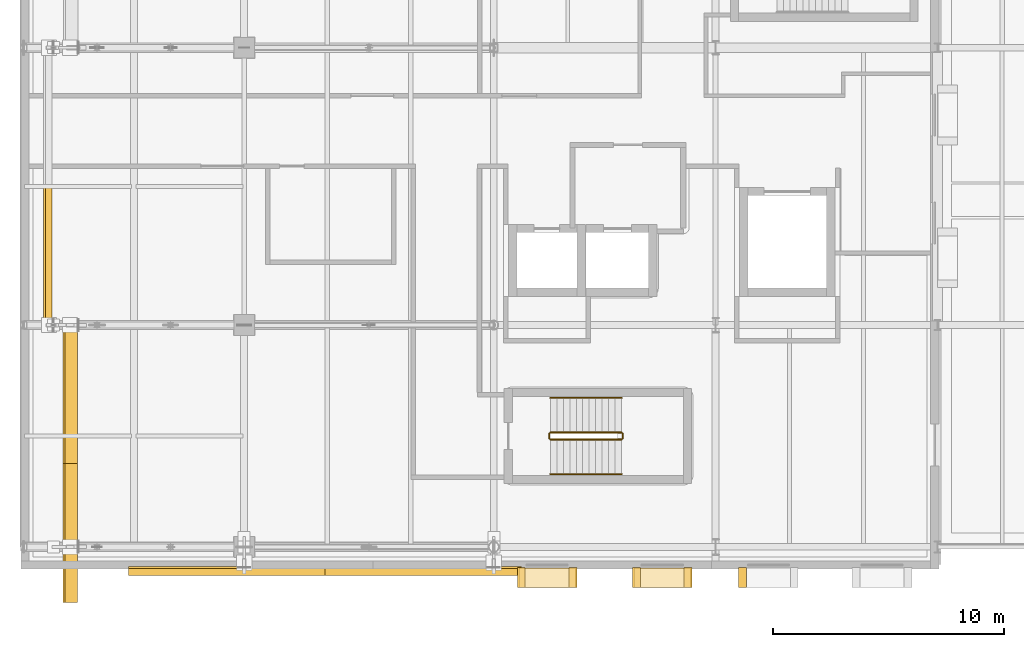
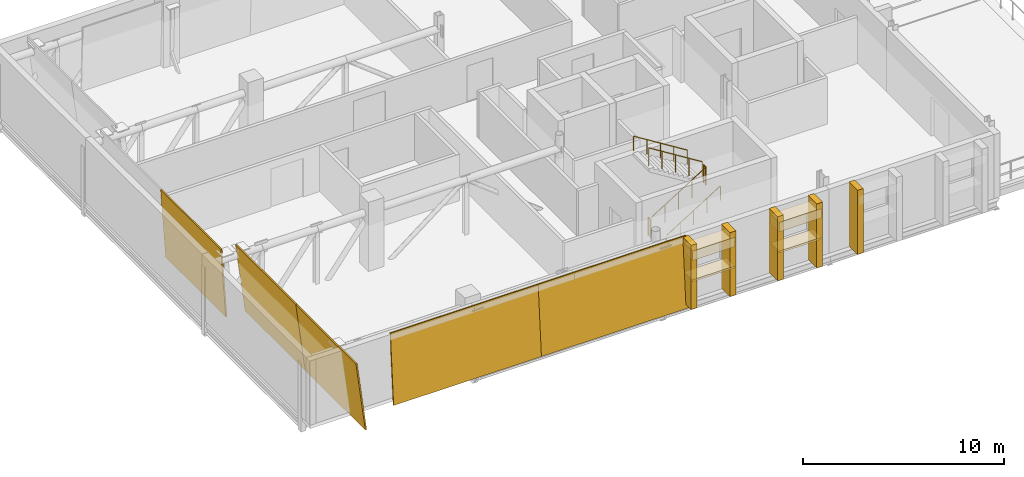
# One storey, part 84 of 89: 14 coverings, 6 railings.
"""IFC4 building model written with IfcOpenShell, lengths in metres."""

import ifcopenshell
import ifcopenshell.guid

model = None  # the IFC model being written
_history = None  # IfcOwnerHistory: only IFC2X3 demands one
_inside = {}  # id of a spatial element -> (the spatial element, [elements in it])
_under = {}  # id of a project, library or spatial element -> (it, [spatial elements below it])
_declared = {}  # id of a project -> (the project, [libraries it declares])
_typed = {}  # id of a type object -> (the type object, [elements of that type])
_made_of = {}  # id of a material, layer set ... -> (it, [elements and type objects made of it])


def new_model(schema):
    """Start an empty IFC model of exactly this schema.

    Asked for "IFC4X3", IfcOpenShell would pick the latest addendum, in which some entities
    have other attributes; the version numbers below select the first issue.
    IFC2X3 requires an IfcOwnerHistory on every rooted entity: one is made here for all.
    """
    global model, _history
    if schema == "IFC4X3":
        model = ifcopenshell.file(schema_version=(4, 3, 0, 0))
    else:
        model = ifcopenshell.file(schema=schema)
    _inside.clear()
    _under.clear()
    _declared.clear()
    _typed.clear()
    _made_of.clear()
    _history = None
    if model.schema == "IFC2X3":
        org = make("IfcOrganization", Name="unknown")
        user = make(
            "IfcPersonAndOrganization",
            ThePerson=make("IfcPerson", FamilyName="unknown"),
            TheOrganization=org,
        )
        app = make(
            "IfcApplication",
            ApplicationDeveloper=org,
            Version="unknown",
            ApplicationFullName="unknown",
            ApplicationIdentifier="unknown",
        )
        _history = make(
            "IfcOwnerHistory",
            OwningUser=user,
            OwningApplication=app,
            ChangeAction="ADDED",
            CreationDate=0,
        )
    return model


def make(cls, **values):
    """One entity of the class cls with the attributes given. An attribute that is None is left unset."""
    return model.create_entity(
        cls, **{name: value for name, value in values.items() if value is not None}
    )


def rooted(cls, **values):
    """An entity with a GlobalId (a new one), such as an element, a storey or a relation."""
    return make(cls, GlobalId=ifcopenshell.guid.new(), OwnerHistory=_history, **values)


def si_unit(unit_type, name, prefix=None):
    """IfcSIUnit, for example si_unit("LENGTHUNIT", "METRE", prefix="MILLI")."""
    return make("IfcSIUnit", UnitType=unit_type, Prefix=prefix, Name=name)


def assignment(units):
    """IfcUnitAssignment: the units of a project."""
    return None if units is None else make("IfcUnitAssignment", Units=units)


def point(xyz):
    """IfcCartesianPoint."""
    return None if xyz is None else make("IfcCartesianPoint", Coordinates=xyz)


def direction(xyz):
    """IfcDirection."""
    return None if xyz is None else make("IfcDirection", DirectionRatios=xyz)


def frame(location, z_axis=None, x_axis=None):
    """IfcAxis2Placement3D, a coordinate frame: its origin and axes. An axis left out is left unset."""
    return make(
        "IfcAxis2Placement3D",
        Location=point(location),
        Axis=direction(z_axis),
        RefDirection=direction(x_axis),
    )


def frame_2d(location, x_axis=None):
    """IfcAxis2Placement2D, a coordinate frame in the plane: its origin and x axis."""
    return make(
        "IfcAxis2Placement2D", Location=point(location), RefDirection=direction(x_axis)
    )


def origin():
    """The frame at (0, 0, 0) with its axes left unset."""
    return frame((0.0, 0.0, 0.0))


def origin_2d():
    """The frame at (0, 0) in the plane with its x axis left unset."""
    return frame_2d((0.0, 0.0))


def place(relative_to, where):
    """IfcLocalPlacement: puts the frame where relative to a parent placement (None: the world)."""
    return make(
        "IfcLocalPlacement", PlacementRelTo=relative_to, RelativePlacement=where
    )


def context(
    kind, dimensions, precision=None, world=None, true_north=None, identifier=None
):
    """IfcGeometricRepresentationContext, for example the 3D "Model" context."""
    return make(
        "IfcGeometricRepresentationContext",
        ContextIdentifier=identifier,
        ContextType=kind,
        CoordinateSpaceDimension=dimensions,
        Precision=precision,
        WorldCoordinateSystem=world,
        TrueNorth=true_north,
    )


def subcontext(parent, identifier, kind, view, scale=None):
    """IfcGeometricRepresentationSubContext, for example "Body" below "Model"."""
    return make(
        "IfcGeometricRepresentationSubContext",
        ContextIdentifier=identifier,
        ContextType=kind,
        ParentContext=parent,
        TargetScale=scale,
        TargetView=view,
    )


def project(units=None, contexts=None):
    """IfcProject with its units and contexts."""
    return rooted(
        "IfcProject",
        Name="project",
        RepresentationContexts=contexts,
        UnitsInContext=assignment(units),
    )


def spatial(cls, under=None, at=None, **own):
    """A site, building, storey or space (cls), placed at a placement, below another one or the project."""
    s = rooted(cls, ObjectPlacement=at, **own)
    if under is not None:
        _under.setdefault(under.id(), (under, []))[1].append(s)
    return s


def polyline(points):
    """IfcPolyline through the points."""
    return make("IfcPolyline", Points=[point(p) for p in points])


def profile(cls, at=None, kind="AREA", **sizes):
    """A parametric profile (cls). Its sizes go by their IFC names, for example OverallWidth=200.0."""
    return make(cls, ProfileType=kind, Position=at, **sizes)


def rectangle(**sizes):
    """IfcRectangleProfileDef."""
    return profile("IfcRectangleProfileDef", **sizes)


def circle(**sizes):
    """IfcCircleProfileDef."""
    return profile("IfcCircleProfileDef", **sizes)


def outline(outer, holes=None, kind="AREA"):
    """IfcArbitraryClosedProfileDef: a profile drawn as a closed curve; with holes, ...WithVoids."""
    if holes is None:
        return make("IfcArbitraryClosedProfileDef", ProfileType=kind, OuterCurve=outer)
    return make(
        "IfcArbitraryProfileDefWithVoids",
        ProfileType=kind,
        OuterCurve=outer,
        InnerCurves=holes,
    )


def extrude(swept, where, along, depth):
    """IfcExtrudedAreaSolid: the profile swept, set in the frame where, extruded along a direction by depth."""
    return make(
        "IfcExtrudedAreaSolid",
        SweptArea=swept,
        Position=where,
        ExtrudedDirection=direction(along),
        Depth=depth,
    )


def shape(context_of_items, identifier, shape_type, items):
    """IfcShapeRepresentation: the items that make up one representation, for example the "Body"."""
    return make(
        "IfcShapeRepresentation",
        ContextOfItems=context_of_items,
        RepresentationIdentifier=identifier,
        RepresentationType=shape_type,
        Items=items,
    )


def material(Name=None, Category=None):
    """IfcMaterial."""
    return make("IfcMaterial", Name=Name, Category=Category)


def layer(
    of_material, thickness, ventilated=None, Name=None, Category=None, Priority=None
):
    """IfcMaterialLayer: one layer of a wall or slab, of a material (None: an air gap)."""
    return make(
        "IfcMaterialLayer",
        Material=of_material,
        LayerThickness=thickness,
        IsVentilated=ventilated,
        Name=Name,
        Category=Category,
        Priority=Priority,
    )


def layer_set(layers, Name=None):
    """IfcMaterialLayerSet."""
    return make("IfcMaterialLayerSet", MaterialLayers=layers, LayerSetName=Name)


def made_of(thing, what):
    """Note that an element or type object is made of a material, layer set ...; save() writes the relation."""
    if what is not None:
        _made_of.setdefault(what.id(), (what, []))[1].append(thing)
    return thing


def type_object(cls, material=None, **own):
    """A type object (cls), such as IfcWallType, which elements share."""
    return made_of(rooted(cls, **own), material)


def element(
    cls,
    number,
    at=None,
    inside=None,
    cuts=None,
    type_object=None,
    material=None,
    context=None,
    identifier="Body",
    shape_type=None,
    held_by="IfcProductDefinitionShape",
    body=None,
    shapes=None,
    **own,
):
    """One element of the class cls, such as IfcWall. Its Tag is "e" and its number.

    at: its placement. inside: the storey or other place that contains it. cuts: it is an
    opening in that element (IfcRelVoidsElement). A single representation is given by context,
    identifier, shape_type and body (its items); several are given by shapes. held_by: the class
    of the entity that holds the representations. save() writes the other relations.
    """
    e = rooted(cls, Tag="e%d" % number, ObjectPlacement=at, **own)
    if body is not None:
        shapes = [shape(context, identifier, shape_type, body)]
    if shapes is not None:
        e.Representation = make(held_by, Representations=shapes)
    if inside is not None:
        _inside.setdefault(inside.id(), (inside, []))[1].append(e)
    if cuts is not None:
        rooted(
            "IfcRelVoidsElement", RelatingBuildingElement=cuts, RelatedOpeningElement=e
        )
    if type_object is not None:
        _typed.setdefault(type_object.id(), (type_object, []))[1].append(e)
    return made_of(e, material)


def aggregate(whole, parts):
    """IfcRelAggregates: a whole, such as a stair, and the parts it consists of."""
    return rooted("IfcRelAggregates", RelatingObject=whole, RelatedObjects=parts)


def save(model, path):
    """Write the relations noted so far, then the file.

    IfcRelAggregates (storeys below a building ...), IfcRelContainedInSpatialStructure (elements
    in a storey), IfcRelDefinesByType, IfcRelAssociatesMaterial and IfcRelDeclares: one each for
    every whole, place, type object, material and project.
    """
    for whole, parts in _under.values():
        aggregate(whole, parts)
    for where, things in _inside.values():
        rooted(
            "IfcRelContainedInSpatialStructure",
            RelatedElements=things,
            RelatingStructure=where,
        )
    for kind, things in _typed.values():
        rooted("IfcRelDefinesByType", RelatedObjects=things, RelatingType=kind)
    for what, things in _made_of.values():
        rooted("IfcRelAssociatesMaterial", RelatedObjects=things, RelatingMaterial=what)
    for by, libraries in _declared.values():
        rooted("IfcRelDeclares", RelatingContext=by, RelatedDefinitions=libraries)
    model.write(path)


model = new_model("IFC4")

# Units and contexts
model_context = context("Model", 3, precision=1e-05, world=origin(), true_north=direction((0.0, 1.0)))
body_context = subcontext(model_context, "Body", "Model", "MODEL_VIEW")
ifc_project = project(units=[si_unit("LENGTHUNIT", "METRE"), si_unit("AREAUNIT", "SQUARE_METRE"), si_unit("VOLUMEUNIT", "CUBIC_METRE"), si_unit("PLANEANGLEUNIT", "RADIAN"), si_unit("MASSUNIT", "GRAM", prefix="KILO")], contexts=[model_context])

# Site, building, storey
site_placement = place(None, origin())
site = spatial("IfcSite", under=ifc_project, at=site_placement, CompositionType="ELEMENT")
building_placement = place(site_placement, origin())
building = spatial("IfcBuilding", under=site, at=building_placement, Name="Zereglee Splitstone Museum", CompositionType="ELEMENT")
storey_placement = place(building_placement, frame((0.0, 0.0, 21.300048828125)))
storey = spatial("IfcBuildingStorey", under=building, at=storey_placement, Name="L04", CompositionType="ELEMENT", Elevation=21.300048828125)

# Coverings
ifc_material_1 = material(Name="Honed Gobi pale limestone stringcourse and soffit cladding", Category="masonry")
ifc_layer_1 = layer(ifc_material_1, 0.070068359375)
ifc_layer_set_1 = layer_set([ifc_layer_1], Name="Honed Gobi pale limestone stringcourse and soffit cladding")
covering_type_1 = type_object("IfcCoveringType", Name="CL-02", PredefinedType="CLADDING", material=ifc_layer_set_1)
for number, where, z_axis, x_axis, name in (
    (1, (21.590087890625, -1.324951171875, 0.0), (0.0, 0.0, 1.0), (1.0, 0.0, 0.0), "Mughal Window Reveal Stone Pilaster L04-0136L"),
    (2, (23.830078125, -1.324951171875, 0.0), (0.0, 0.0, 1.0), (1.0, 0.0, 0.0), "Mughal Window Reveal Stone Pilaster L04-0136R"),
):
    element("IfcCovering", number, at=place(storey_placement, frame(where, z_axis=z_axis, x_axis=x_axis)), inside=storey, type_object=covering_type_1, Name=name, PredefinedType="CLADDING", context=body_context, shape_type="SweptSolid", body=[
        extrude(rectangle(XDim=0.340087890625, YDim=0.860107421875, at=origin_2d()), origin(), (0.0, 0.0, 1.0), 3.89990234375),
    ])
covering_1_placement = place(storey_placement, frame((22.7099609375, -1.3349609375, 1.659912109375), z_axis=(0.0, 0.0, 1.0), x_axis=(1.0, 0.0, 0.0)))
element("IfcCovering", 3, at=covering_1_placement, inside=storey, type_object=covering_type_1, Name="Carved Limestone Window Sill L04-0136", PredefinedType="CLADDING", context=body_context, shape_type="SweptSolid", body=[
    extrude(rectangle(XDim=2.43994140625, YDim=0.840087890625, at=origin_2d()), origin(), (0.0, 0.0, 1.0), 0.1201171875),
])
for number, where, z_axis, x_axis, name in (
    (4, (26.570068359375, -1.324951171875, 0.0), (0.0, 0.0, 1.0), (1.0, 0.0, 0.0), "Mughal Window Reveal Stone Pilaster L04-0137L"),
    (5, (28.81005859375, -1.324951171875, 0.0), (0.0, 0.0, 1.0), (1.0, 0.0, 0.0), "Mughal Window Reveal Stone Pilaster L04-0137R"),
):
    element("IfcCovering", number, at=place(storey_placement, frame(where, z_axis=z_axis, x_axis=x_axis)), inside=storey, type_object=covering_type_1, Name=name, PredefinedType="CLADDING", context=body_context, shape_type="SweptSolid", body=[
        extrude(rectangle(XDim=0.340087890625, YDim=0.860107421875, at=origin_2d()), origin(), (0.0, 0.0, 1.0), 3.89990234375),
    ])
covering_2_placement = place(storey_placement, frame((27.68994140625, -1.3349609375, 1.659912109375), z_axis=(0.0, 0.0, 1.0), x_axis=(1.0, 0.0, 0.0)))
element("IfcCovering", 6, at=covering_2_placement, inside=storey, type_object=covering_type_1, Name="Carved Limestone Window Sill L04-0137", PredefinedType="CLADDING", context=body_context, shape_type="SweptSolid", body=[
    extrude(rectangle(XDim=2.43994140625, YDim=0.840087890625, at=origin_2d()), origin(), (0.0, 0.0, 1.0), 0.1201171875),
])
covering_3_placement = place(storey_placement, frame((31.159912109375, -1.324951171875, 0.0), z_axis=(0.0, 0.0, 1.0), x_axis=(1.0, 0.0, 0.0)))
element("IfcCovering", 7, at=covering_3_placement, inside=storey, type_object=covering_type_1, Name="Mughal Window Reveal Stone Pilaster L04-0138L", PredefinedType="CLADDING", context=body_context, shape_type="SweptSolid", body=[
    extrude(rectangle(XDim=0.340087890625, YDim=0.860107421875, at=origin_2d()), origin(), (0.0, 0.0, 1.0), 3.89990234375),
])
for number, where, z_axis, x_axis, name in (
    (8, (4.60009765625, -1.246337890625, -0.25), (0.0, -0.997046980321, 0.07679400389), (1.0, 0.0, 0.0), "Split-Rock Continuous Inclined Facet FH-V1S-W L04.1"),
    (9, (13.10009765625, -1.246337890625, -0.25), (0.0, -0.997046980321, 0.07679400389), (1.0, 0.0, 0.0), "Split-Rock Continuous Inclined Facet FH-V1S-W L04.2"),
):
    element("IfcCovering", number, at=place(storey_placement, frame(where, z_axis=z_axis, x_axis=x_axis)), inside=storey, type_object=covering_type_1, Name=name, PredefinedType="CLADDING", context=body_context, shape_type="SweptSolid", body=[
        extrude(outline(polyline([(0.0, 0.0), (8.5, 0.0), (8.5, 4.212390443752571), (0.0, 4.212390443752571), (0.0, 0.0)])), origin(), (0.0, 0.0, -1.0), 0.070068359375),
    ])
ifc_material_2 = material(Name="Honed Khoroo red sandstone ventilated rainscreen", Category="masonry")
ifc_layer_2 = layer(ifc_material_2, 0.080078125)
ifc_layer_set_2 = layer_set([ifc_layer_2], Name="Honed Khoroo red sandstone ventilated rainscreen")
covering_type_2 = type_object("IfcCoveringType", Name="CL-01", PredefinedType="CLADDING", material=ifc_layer_set_2)
for number, where, z_axis, x_axis, name in (
    (10, (22.7099609375, -1.3349609375, 2.9599609375), (0.0, 0.0, 1.0), (1.0, 0.0, 0.0), "Pointed-Arch Mughal Window Hood L04-0136"),
    (11, (27.68994140625, -1.3349609375, 2.9599609375), (0.0, 0.0, 1.0), (1.0, 0.0, 0.0), "Pointed-Arch Mughal Window Hood L04-0137"),
):
    element("IfcCovering", number, at=place(storey_placement, frame(where, z_axis=z_axis, x_axis=x_axis)), inside=storey, type_object=covering_type_2, Name=name, PredefinedType="CLADDING", context=body_context, shape_type="SweptSolid", body=[
        extrude(rectangle(XDim=2.43994140625, YDim=0.860107421875, at=origin_2d()), origin(), (0.0, 0.0, 1.0), 0.580078125),
    ])
for number, where, z_axis, x_axis, name in (
    (12, (1.763427734375, -2.39990234375, 3.949951171875), (-0.991724676305, 0.0, -0.128382889852), (0.0, 1.0, 0.0), "Split-Rock Continuous Inclined Facet FH-V1W-S L04.1"),
    (13, (1.763427734375, 3.60009765625, 3.949951171875), (-0.991724676305, 0.0, -0.128382889852), (0.0, 1.0, 0.0), "Split-Rock Continuous Inclined Facet FH-V1W-S L04.2"),
):
    element("IfcCovering", number, at=place(storey_placement, frame(where, z_axis=z_axis, x_axis=x_axis)), inside=storey, type_object=covering_type_2, Name=name, PredefinedType="CLADDING", context=body_context, shape_type="SweptSolid", body=[
        extrude(outline(polyline([(0.0, 0.0), (6.0, 0.0), (6.0, 4.234997144087872), (0.0, 4.234997144087872), (0.0, 0.0)])), origin(), (0.0, 0.0, -1.0), 0.080078125),
    ])
covering_4_placement = place(storey_placement, frame((0.91748046875, 9.60009765625, 3.949951171875), z_axis=(-0.997706981448, 0.0, -0.067681453662), x_axis=(0.0, 1.0, 0.0)))
element("IfcCovering", 14, at=covering_4_placement, inside=storey, type_object=covering_type_2, Name="Split-Rock Continuous Inclined Facet FH-V1W-M L04.1", PredefinedType="CLADDING", context=body_context, shape_type="SweptSolid", body=[
    extrude(outline(polyline([(0.0, 0.0), (6.0, 0.0), (6.0, 4.209603871649053), (0.0, 4.209603871649053), (0.0, 0.0)])), origin(), (0.0, 0.0, -1.0), 0.080078125),
])

# Railings
ifc_material_3 = material(Name="Painted steel S355J2 post-and-baluster guard", Category="steel")
railing_type_1 = type_object("IfcRailingType", Name="GR-03", PredefinedType="BALUSTRADE", material=ifc_material_3)
railing_1_placement = place(storey_placement, frame((22.85009765625, 4.64990234375, 0.175048828125)))
element("IfcRailing", 15, at=railing_1_placement, inside=storey, type_object=railing_type_1, Name="L04 ST-01 stair guard 1", PredefinedType="BALUSTRADE", context=body_context, shape_type="SweptSolid", body=[
    extrude(circle(Radius=0.02392578125, at=origin_2d()), frame((0.0, 0.0, 1.076416015625), z_axis=(0.848009633417, 0.0, 0.529980812513), x_axis=(0.0, 1.0, 0.0)), (0.0, 0.0, 1.0), 3.6318359375),
    extrude(circle(Radius=0.02099609375, at=origin_2d()), origin(), (0.0, 0.0, 1.0), 1.052001953125),
    extrude(circle(Radius=0.02099609375, at=origin_2d()), frame((0.77001953125, 0.0, 0.481201171875)), (0.0, 0.0, 1.0), 1.052001953125),
    extrude(circle(Radius=0.02099609375, at=origin_2d()), frame((1.5400390625, 0.0, 0.96240234375)), (0.0, 0.0, 1.0), 1.052001953125),
    extrude(circle(Radius=0.02099609375, at=origin_2d()), frame((2.309814453125, 0.0, 1.443603515625)), (0.0, 0.0, 1.0), 1.052001953125),
    extrude(circle(Radius=0.02099609375, at=origin_2d()), frame((3.079833984375, 0.0, 1.9248046875)), (0.0, 0.0, 1.0), 1.052001953125),
])
railing_2_placement = place(storey_placement, frame((25.97998046875, 4.699951171875, 2.099853515625)))
element("IfcRailing", 16, at=railing_2_placement, inside=storey, type_object=railing_type_1, Name="L04 ST-01 stair guard 2", PredefinedType="BALUSTRADE", context=body_context, shape_type="SweptSolid", body=[
    extrude(circle(Radius=0.02392578125, at=origin_2d()), frame((0.0, 0.0, 1.076416015625), z_axis=(0.0, 1.0, 0.0), x_axis=(-1.0, 0.0, 0.0)), (0.0, 0.0, 1.0), 0.199951171875),
    extrude(circle(Radius=0.02099609375, at=origin_2d()), origin(), (0.0, 0.0, 1.0), 1.052001953125),
    extrude(circle(Radius=0.02099609375, at=origin_2d()), frame((0.0, 0.199951171875, 0.0)), (0.0, 0.0, 1.0), 1.052001953125),
])
railing_3_placement = place(storey_placement, frame((25.929931640625, 4.949951171875, 2.27490234375)))
element("IfcRailing", 17, at=railing_3_placement, inside=storey, type_object=railing_type_1, Name="L04 ST-01 stair guard 3", PredefinedType="BALUSTRADE", context=body_context, shape_type="SweptSolid", body=[
    extrude(circle(Radius=0.02392578125, at=origin_2d()), frame((0.0, 0.0, 1.076416015625), z_axis=(-0.847979421464, 0.0, 0.530029150871), x_axis=(0.0, -1.0, 0.0)), (0.0, 0.0, 1.0), 3.632080078125),
    extrude(circle(Radius=0.02099609375, at=origin_2d()), origin(), (0.0, 0.0, 1.0), 1.052001953125),
    extrude(circle(Radius=0.02099609375, at=origin_2d()), frame((-0.77001953125, 0.0, 0.481201171875)), (0.0, 0.0, 1.0), 1.052001953125),
    extrude(circle(Radius=0.02099609375, at=origin_2d()), frame((-1.5400390625, 0.0, 0.96240234375)), (0.0, 0.0, 1.0), 1.052001953125),
    extrude(circle(Radius=0.02099609375, at=origin_2d()), frame((-2.309814453125, 0.0, 1.44384765625)), (0.0, 0.0, 1.0), 1.052001953125),
    extrude(circle(Radius=0.02099609375, at=origin_2d()), frame((-3.079833984375, 0.0, 1.925048828125)), (0.0, 0.0, 1.0), 1.052001953125),
])
railing_4_placement = place(storey_placement, frame((22.800048828125, 4.699951171875, 0.0)))
element("IfcRailing", 18, at=railing_4_placement, inside=storey, type_object=railing_type_1, Name="L04 ST-01 stair guard 4", PredefinedType="BALUSTRADE", context=body_context, shape_type="SweptSolid", body=[
    extrude(circle(Radius=0.02392578125, at=origin_2d()), frame((0.0, 0.0, 1.076416015625), z_axis=(0.0, 1.0, 0.0), x_axis=(-1.0, 0.0, 0.0)), (0.0, 0.0, 1.0), 0.199951171875),
    extrude(circle(Radius=0.02099609375, at=origin_2d()), origin(), (0.0, 0.0, 1.0), 1.052001953125),
    extrude(circle(Radius=0.02099609375, at=origin_2d()), frame((0.0, 0.199951171875, 0.0)), (0.0, 0.0, 1.0), 1.052001953125),
])
ifc_material_4 = material(Name="Architectural bronze tubular handrail", Category="steel")
railing_type_2 = type_object("IfcRailingType", Name="HR-01", PredefinedType="HANDRAIL", material=ifc_material_4)
railing_5_placement = place(storey_placement, frame((22.85009765625, 3.14990234375, 0.175048828125)))
element("IfcRailing", 19, at=railing_5_placement, inside=storey, type_object=railing_type_2, Name="L04 ST-01 stair handrail 1", PredefinedType="HANDRAIL", context=body_context, shape_type="SweptSolid", body=[
    extrude(circle(Radius=0.02392578125, at=origin_2d()), frame((0.0, 0.0, 0.8759765625), z_axis=(0.848009633417, 0.0, 0.529980812513), x_axis=(0.0, 1.0, 0.0)), (0.0, 0.0, 1.0), 3.6318359375),
    extrude(circle(Radius=0.02099609375, at=origin_2d()), origin(), (0.0, 0.0, 1.0), 0.851806640625),
    extrude(circle(Radius=0.02099609375, at=origin_2d()), frame((0.77001953125, 0.0, 0.481201171875)), (0.0, 0.0, 1.0), 0.851806640625),
    extrude(circle(Radius=0.02099609375, at=origin_2d()), frame((1.5400390625, 0.0, 0.96240234375)), (0.0, 0.0, 1.0), 0.851806640625),
    extrude(circle(Radius=0.02099609375, at=origin_2d()), frame((2.309814453125, 0.0, 1.443603515625)), (0.0, 0.0, 1.0), 0.851806640625),
    extrude(circle(Radius=0.02099609375, at=origin_2d()), frame((3.079833984375, 0.0, 1.9248046875)), (0.0, 0.0, 1.0), 0.851806640625),
])
railing_6_placement = place(storey_placement, frame((25.929931640625, 6.449951171875, 2.27490234375)))
element("IfcRailing", 20, at=railing_6_placement, inside=storey, type_object=railing_type_2, Name="L04 ST-01 stair handrail 2", PredefinedType="HANDRAIL", context=body_context, shape_type="SweptSolid", body=[
    extrude(circle(Radius=0.02392578125, at=origin_2d()), frame((0.0, 0.0, 0.8759765625), z_axis=(-0.847979421464, 0.0, 0.530029150871), x_axis=(0.0, -1.0, 0.0)), (0.0, 0.0, 1.0), 3.632080078125),
    extrude(circle(Radius=0.02099609375, at=origin_2d()), origin(), (0.0, 0.0, 1.0), 0.851806640625),
    extrude(circle(Radius=0.02099609375, at=origin_2d()), frame((-0.77001953125, 0.0, 0.481201171875)), (0.0, 0.0, 1.0), 0.851806640625),
    extrude(circle(Radius=0.02099609375, at=origin_2d()), frame((-1.5400390625, 0.0, 0.96240234375)), (0.0, 0.0, 1.0), 0.851806640625),
    extrude(circle(Radius=0.02099609375, at=origin_2d()), frame((-2.309814453125, 0.0, 1.44384765625)), (0.0, 0.0, 1.0), 0.851806640625),
    extrude(circle(Radius=0.02099609375, at=origin_2d()), frame((-3.079833984375, 0.0, 1.925048828125)), (0.0, 0.0, 1.0), 0.851806640625),
])

save(model, "model.ifc")
